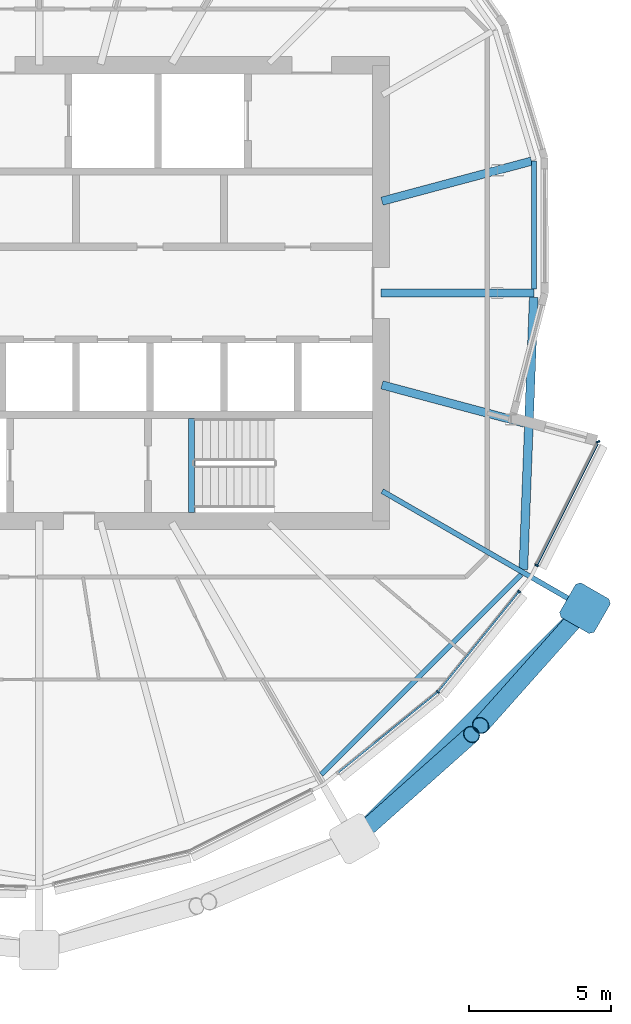
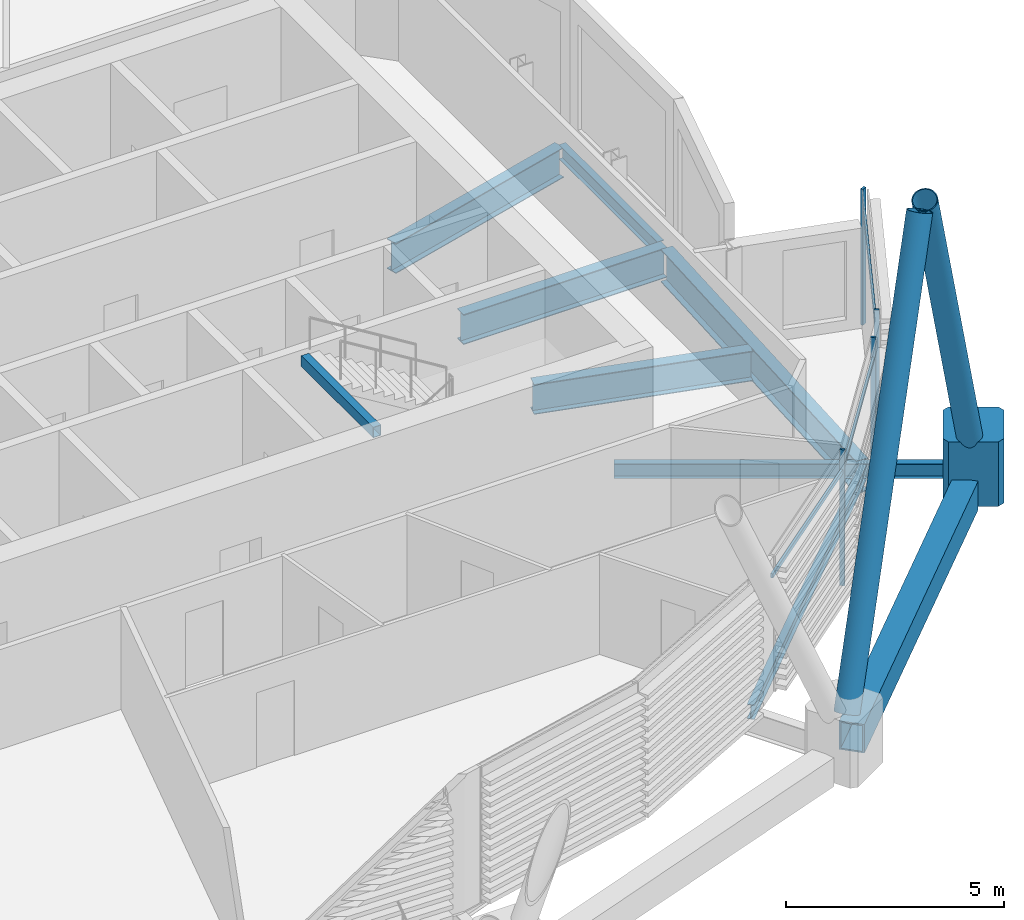
# One storey, part 16 of 37: 10 members, 9 beams, 1 element without a shape of its own.
"""IFC4 building model written with IfcOpenShell, lengths in metres."""

import ifcopenshell
import ifcopenshell.guid

model = None  # the IFC model being written
_history = None  # IfcOwnerHistory: only IFC2X3 demands one
_inside = {}  # id of a spatial element -> (the spatial element, [elements in it])
_under = {}  # id of a project, library or spatial element -> (it, [spatial elements below it])
_declared = {}  # id of a project -> (the project, [libraries it declares])
_typed = {}  # id of a type object -> (the type object, [elements of that type])
_made_of = {}  # id of a material, layer set ... -> (it, [elements and type objects made of it])


def new_model(schema):
    """Start an empty IFC model of exactly this schema.

    Asked for "IFC4X3", IfcOpenShell would pick the latest addendum, in which some entities
    have other attributes; the version numbers below select the first issue.
    IFC2X3 requires an IfcOwnerHistory on every rooted entity: one is made here for all.
    """
    global model, _history
    if schema == "IFC4X3":
        model = ifcopenshell.file(schema_version=(4, 3, 0, 0))
    else:
        model = ifcopenshell.file(schema=schema)
    _inside.clear()
    _under.clear()
    _declared.clear()
    _typed.clear()
    _made_of.clear()
    _history = None
    if model.schema == "IFC2X3":
        org = make("IfcOrganization", Name="unknown")
        user = make(
            "IfcPersonAndOrganization",
            ThePerson=make("IfcPerson", FamilyName="unknown"),
            TheOrganization=org,
        )
        app = make(
            "IfcApplication",
            ApplicationDeveloper=org,
            Version="unknown",
            ApplicationFullName="unknown",
            ApplicationIdentifier="unknown",
        )
        _history = make(
            "IfcOwnerHistory",
            OwningUser=user,
            OwningApplication=app,
            ChangeAction="ADDED",
            CreationDate=0,
        )
    return model


def make(cls, **values):
    """One entity of the class cls with the attributes given. An attribute that is None is left unset."""
    return model.create_entity(
        cls, **{name: value for name, value in values.items() if value is not None}
    )


def rooted(cls, **values):
    """An entity with a GlobalId (a new one), such as an element, a storey or a relation."""
    return make(cls, GlobalId=ifcopenshell.guid.new(), OwnerHistory=_history, **values)


def si_unit(unit_type, name, prefix=None):
    """IfcSIUnit, for example si_unit("LENGTHUNIT", "METRE", prefix="MILLI")."""
    return make("IfcSIUnit", UnitType=unit_type, Prefix=prefix, Name=name)


def assignment(units):
    """IfcUnitAssignment: the units of a project."""
    return None if units is None else make("IfcUnitAssignment", Units=units)


def point(xyz):
    """IfcCartesianPoint."""
    return None if xyz is None else make("IfcCartesianPoint", Coordinates=xyz)


def direction(xyz):
    """IfcDirection."""
    return None if xyz is None else make("IfcDirection", DirectionRatios=xyz)


def frame(location, z_axis=None, x_axis=None):
    """IfcAxis2Placement3D, a coordinate frame: its origin and axes. An axis left out is left unset."""
    return make(
        "IfcAxis2Placement3D",
        Location=point(location),
        Axis=direction(z_axis),
        RefDirection=direction(x_axis),
    )


def frame_2d(location, x_axis=None):
    """IfcAxis2Placement2D, a coordinate frame in the plane: its origin and x axis."""
    return make(
        "IfcAxis2Placement2D", Location=point(location), RefDirection=direction(x_axis)
    )


def origin():
    """The frame at (0, 0, 0) with its axes left unset."""
    return frame((0.0, 0.0, 0.0))


def origin_2d():
    """The frame at (0, 0) in the plane with its x axis left unset."""
    return frame_2d((0.0, 0.0))


def place(relative_to, where):
    """IfcLocalPlacement: puts the frame where relative to a parent placement (None: the world)."""
    return make(
        "IfcLocalPlacement", PlacementRelTo=relative_to, RelativePlacement=where
    )


def context(
    kind, dimensions, precision=None, world=None, true_north=None, identifier=None
):
    """IfcGeometricRepresentationContext, for example the 3D "Model" context."""
    return make(
        "IfcGeometricRepresentationContext",
        ContextIdentifier=identifier,
        ContextType=kind,
        CoordinateSpaceDimension=dimensions,
        Precision=precision,
        WorldCoordinateSystem=world,
        TrueNorth=true_north,
    )


def subcontext(parent, identifier, kind, view, scale=None):
    """IfcGeometricRepresentationSubContext, for example "Body" below "Model"."""
    return make(
        "IfcGeometricRepresentationSubContext",
        ContextIdentifier=identifier,
        ContextType=kind,
        ParentContext=parent,
        TargetScale=scale,
        TargetView=view,
    )


def project(units=None, contexts=None):
    """IfcProject with its units and contexts."""
    return rooted(
        "IfcProject",
        Name="project",
        RepresentationContexts=contexts,
        UnitsInContext=assignment(units),
    )


def spatial(cls, under=None, at=None, **own):
    """A site, building, storey or space (cls), placed at a placement, below another one or the project."""
    s = rooted(cls, ObjectPlacement=at, **own)
    if under is not None:
        _under.setdefault(under.id(), (under, []))[1].append(s)
    return s


def polyline(points):
    """IfcPolyline through the points."""
    return make("IfcPolyline", Points=[point(p) for p in points])


def profile(cls, at=None, kind="AREA", **sizes):
    """A parametric profile (cls). Its sizes go by their IFC names, for example OverallWidth=200.0."""
    return make(cls, ProfileType=kind, Position=at, **sizes)


def rectangle(**sizes):
    """IfcRectangleProfileDef."""
    return profile("IfcRectangleProfileDef", **sizes)


def hollow_rectangle(**sizes):
    """IfcRectangleHollowProfileDef."""
    return profile("IfcRectangleHollowProfileDef", **sizes)


def hollow_circle(**sizes):
    """IfcCircleHollowProfileDef."""
    return profile("IfcCircleHollowProfileDef", **sizes)


def i_section(**sizes):
    """IfcIShapeProfileDef."""
    return profile("IfcIShapeProfileDef", **sizes)


def outline(outer, holes=None, kind="AREA"):
    """IfcArbitraryClosedProfileDef: a profile drawn as a closed curve; with holes, ...WithVoids."""
    if holes is None:
        return make("IfcArbitraryClosedProfileDef", ProfileType=kind, OuterCurve=outer)
    return make(
        "IfcArbitraryProfileDefWithVoids",
        ProfileType=kind,
        OuterCurve=outer,
        InnerCurves=holes,
    )


def extrude(swept, where, along, depth):
    """IfcExtrudedAreaSolid: the profile swept, set in the frame where, extruded along a direction by depth."""
    return make(
        "IfcExtrudedAreaSolid",
        SweptArea=swept,
        Position=where,
        ExtrudedDirection=direction(along),
        Depth=depth,
    )


def shape(context_of_items, identifier, shape_type, items):
    """IfcShapeRepresentation: the items that make up one representation, for example the "Body"."""
    return make(
        "IfcShapeRepresentation",
        ContextOfItems=context_of_items,
        RepresentationIdentifier=identifier,
        RepresentationType=shape_type,
        Items=items,
    )


def material(Name=None, Category=None):
    """IfcMaterial."""
    return make("IfcMaterial", Name=Name, Category=Category)


def material_profile(
    of_material, cross_section, Name=None, Category=None, Priority=None
):
    """IfcMaterialProfile: a cross section and its material."""
    return make(
        "IfcMaterialProfile",
        Name=Name,
        Material=of_material,
        Profile=cross_section,
        Priority=Priority,
        Category=Category,
    )


def profile_set(profiles, Name=None, composite=None):
    """IfcMaterialProfileSet."""
    return make(
        "IfcMaterialProfileSet",
        Name=Name,
        MaterialProfiles=profiles,
        CompositeProfile=composite,
    )


def made_of(thing, what):
    """Note that an element or type object is made of a material, layer set ...; save() writes the relation."""
    if what is not None:
        _made_of.setdefault(what.id(), (what, []))[1].append(thing)
    return thing


def type_object(cls, material=None, **own):
    """A type object (cls), such as IfcWallType, which elements share."""
    return made_of(rooted(cls, **own), material)


def element(
    cls,
    number,
    at=None,
    inside=None,
    cuts=None,
    type_object=None,
    material=None,
    context=None,
    identifier="Body",
    shape_type=None,
    held_by="IfcProductDefinitionShape",
    body=None,
    shapes=None,
    **own,
):
    """One element of the class cls, such as IfcWall. Its Tag is "e" and its number.

    at: its placement. inside: the storey or other place that contains it. cuts: it is an
    opening in that element (IfcRelVoidsElement). A single representation is given by context,
    identifier, shape_type and body (its items); several are given by shapes. held_by: the class
    of the entity that holds the representations. save() writes the other relations.
    """
    e = rooted(cls, Tag="e%d" % number, ObjectPlacement=at, **own)
    if body is not None:
        shapes = [shape(context, identifier, shape_type, body)]
    if shapes is not None:
        e.Representation = make(held_by, Representations=shapes)
    if inside is not None:
        _inside.setdefault(inside.id(), (inside, []))[1].append(e)
    if cuts is not None:
        rooted(
            "IfcRelVoidsElement", RelatingBuildingElement=cuts, RelatedOpeningElement=e
        )
    if type_object is not None:
        _typed.setdefault(type_object.id(), (type_object, []))[1].append(e)
    return made_of(e, material)


def aggregate(whole, parts):
    """IfcRelAggregates: a whole, such as a stair, and the parts it consists of."""
    return rooted("IfcRelAggregates", RelatingObject=whole, RelatedObjects=parts)


def save(model, path):
    """Write the relations noted so far, then the file.

    IfcRelAggregates (storeys below a building ...), IfcRelContainedInSpatialStructure (elements
    in a storey), IfcRelDefinesByType, IfcRelAssociatesMaterial and IfcRelDeclares: one each for
    every whole, place, type object, material and project.
    """
    for whole, parts in _under.values():
        aggregate(whole, parts)
    for where, things in _inside.values():
        rooted(
            "IfcRelContainedInSpatialStructure",
            RelatedElements=things,
            RelatingStructure=where,
        )
    for kind, things in _typed.values():
        rooted("IfcRelDefinesByType", RelatedObjects=things, RelatingType=kind)
    for what, things in _made_of.values():
        rooted("IfcRelAssociatesMaterial", RelatedObjects=things, RelatingMaterial=what)
    for by, libraries in _declared.values():
        rooted("IfcRelDeclares", RelatingContext=by, RelatedDefinitions=libraries)
    model.write(path)


model = new_model("IFC4")

# Units and contexts
model_context = context("Model", 3, precision=1e-05, world=origin(), true_north=direction((0.0, 1.0)))
body_context = subcontext(model_context, "Body", "Model", "MODEL_VIEW")
ifc_project = project(units=[si_unit("LENGTHUNIT", "METRE"), si_unit("AREAUNIT", "SQUARE_METRE"), si_unit("VOLUMEUNIT", "CUBIC_METRE"), si_unit("PLANEANGLEUNIT", "RADIAN"), si_unit("MASSUNIT", "GRAM", prefix="KILO")], contexts=[model_context])

# Site, building, storey
site_placement = place(None, origin())
site = spatial("IfcSite", under=ifc_project, at=site_placement, CompositionType="ELEMENT")
building_placement = place(site_placement, origin())
building = spatial("IfcBuilding", under=site, at=building_placement, Name="Rimbun Link Towers", CompositionType="ELEMENT")
storey_placement = place(building_placement, frame((0.0, 0.0, 170.300048828125)))
storey = spatial("IfcBuildingStorey", under=building, at=storey_placement, Name="L41", CompositionType="ELEMENT", Elevation=170.300048828125)

# Curtain wall, members
ifc_material_1 = material(Name="Aluminium 6063-T6 and low-iron glass", Category="aluminium")
curtain_wall_type = type_object("IfcCurtainWallType", Name="CW1-Z3 unitised vision wall (zone 3)", PredefinedType="NOTDEFINED", material=ifc_material_1)
curtain_wall_placement = place(storey_placement, origin())
curtain_wall = element("IfcCurtainWall", 1, at=curtain_wall_placement, inside=storey, type_object=curtain_wall_type, Name="CW1 L41 T2", PredefinedType="NOTDEFINED")
ifc_material_2 = material(Name="Aluminium 6063-T6", Category="aluminium")
ifc_material_profile_1 = material_profile(ifc_material_2, rectangle(XDim=0.1201171875, YDim=0.06005859375, at=origin_2d()), Name="MULLION 60X120")
ifc_profile_set_1 = profile_set([ifc_material_profile_1], Name="Aluminium 6063-T6")
member_type_1 = type_object("IfcMemberType", Name="CW1 mullion 60X120", PredefinedType="MULLION", material=ifc_profile_set_1)
member_1_placement = place(storey_placement, frame((45.7568359375, -14.0068359375, 0.0), z_axis=(0.0, 0.0, 1.0), x_axis=(0.707106781187, -0.707106781187, 0.0)))
member_1 = element("IfcMember", 2, at=member_1_placement, type_object=member_type_1, Name="CW1 mullion", PredefinedType="MULLION", context=body_context, shape_type="SweptSolid", body=[
    extrude(rectangle(XDim=0.1201171875, YDim=0.06005859375, at=origin_2d()), origin(), (0.0, 0.0, 1.0), 3.800048828125),
])
member_2_placement = place(storey_placement, frame((48.60791015625, -10.485107421875, 0.0), z_axis=(0.0, 0.0, 1.0), x_axis=(0.777277720811, -0.629157646962, 0.0)))
member_2 = element("IfcMember", 3, at=member_2_placement, type_object=member_type_1, Name="CW1 mullion", PredefinedType="MULLION", context=body_context, shape_type="SweptSolid", body=[
    extrude(rectangle(XDim=0.1201171875, YDim=0.06005859375, at=origin_2d()), origin(), (0.0, 0.0, 1.0), 3.800048828125),
])
member_3_placement = place(storey_placement, frame((51.38330078125, -5.221435546875, 0.0), z_axis=(0.0, 0.0, 1.0), x_axis=(0.912350612817, 0.409409769414, 0.0)))
member_3 = element("IfcMember", 4, at=member_3_placement, type_object=member_type_1, Name="CW1 mullion", PredefinedType="MULLION", context=body_context, shape_type="SweptSolid", body=[
    extrude(rectangle(XDim=0.1201171875, YDim=0.06005859375, at=origin_2d()), origin(), (0.0, 0.0, 1.0), 3.800048828125),
])
member_4_placement = place(storey_placement, frame((49.225830078125, -9.56689453125, 0.0), z_axis=(0.0, 0.0, 1.0), x_axis=(0.893645619235, -0.44877333613, 0.0)))
member_4 = element("IfcMember", 5, at=member_4_placement, type_object=member_type_1, Name="CW1 mullion", PredefinedType="MULLION", context=body_context, shape_type="SweptSolid", body=[
    extrude(rectangle(XDim=0.1201171875, YDim=0.06005859375, at=origin_2d()), origin(), (0.0, 0.0, 1.0), 3.800048828125),
])
ifc_material_3 = material(Name="Aluminium 6063-T6", Category="aluminium")
ifc_material_profile_2 = material_profile(ifc_material_3, rectangle(XDim=0.06005859375, YDim=0.1201171875, at=origin_2d()), Name="TRANSOM 60X120")
ifc_profile_set_2 = profile_set([ifc_material_profile_2], Name="Aluminium 6063-T6")
member_type_2 = type_object("IfcMemberType", Name="CW1 transom 60X120", PredefinedType="USERDEFINED", material=ifc_profile_set_2)
member_5_placement = place(storey_placement, frame((45.7275390625, -14.0283203125, 3.199951171875), z_axis=(-0.777281797361, -0.629152610653, 0.0), x_axis=(0.629152610653, -0.777281797361, 0.0)))
member_5 = element("IfcMember", 6, at=member_5_placement, type_object=member_type_2, Name="CW1 transom", ObjectType="TRANSOM", PredefinedType="USERDEFINED", context=body_context, shape_type="SweptSolid", body=[
    extrude(rectangle(XDim=0.06005859375, YDim=0.1201171875, at=origin_2d()), origin(), (0.0, 0.0, 1.0), 4.46484375),
])
member_6_placement = place(storey_placement, frame((48.58740234375, -10.507080078125, 3.199951171875), z_axis=(-0.629152610653, -0.777281797361, 0.0), x_axis=(0.777281797361, -0.629152610653, 0.0)))
member_6 = element("IfcMember", 7, at=member_6_placement, type_object=member_type_2, Name="CW1 transom", ObjectType="TRANSOM", PredefinedType="USERDEFINED", context=body_context, shape_type="SweptSolid", body=[
    extrude(rectangle(XDim=0.06005859375, YDim=0.1201171875, at=origin_2d()), origin(), (0.0, 0.0, 1.0), 4.46484375),
])
member_7_placement = place(storey_placement, frame((51.366943359375, -5.298828125, 3.199951171875), z_axis=(-0.448777096882, -0.893643730641, 0.0), x_axis=(0.893643730641, -0.448777096882, 0.0)))
member_7 = element("IfcMember", 8, at=member_7_placement, type_object=member_type_2, Name="CW1 transom", ObjectType="TRANSOM", PredefinedType="USERDEFINED", context=body_context, shape_type="SweptSolid", body=[
    extrude(rectangle(XDim=0.06005859375, YDim=0.1201171875, at=origin_2d()), origin(), (0.0, 0.0, 1.0), 4.744873046875),
])
aggregate(curtain_wall, [member_1, member_2, member_3, member_4, member_5, member_6, member_7])

# Members
ifc_material_4 = material(Name="Steel S355J2H", Category="steel")
ifc_material_profile_3 = material_profile(ifc_material_4, hollow_circle(Radius=0.3046875, WallThickness=0.02490234375, at=origin_2d()), Name="Diagrid diagonal CHS 610x25")
ifc_profile_set_3 = profile_set([ifc_material_profile_3], Name="Steel S355J2H")
member_type_3 = type_object("IfcMemberType", Name="Diagrid diagonal CHS 610x25", PredefinedType="BRACE", material=ifc_profile_set_3)
for number, where, z_axis, x_axis, name in (
    (9, (42.985107421875, -19.019287109375, 0.446533203125), (0.335963675498, 0.298811950093, 0.89321880143), (-0.664584429129, 0.747213180129, 0.0), "Diagrid diagonal T2 L41-L44 17b"),
    (10, (50.769287109375, -11.235107421875, 0.446533203125), (-0.298811950093, -0.335963675498, 0.89321880143), (0.747213180129, -0.664584429129, 0.0), "Diagrid diagonal T2 L41-L44 19a"),
):
    element("IfcMember", number, at=place(storey_placement, frame(where, z_axis=z_axis, x_axis=x_axis)), inside=storey, type_object=member_type_3, Name=name, PredefinedType="BRACE", context=body_context, shape_type="SweptSolid", body=[
        extrude(hollow_circle(Radius=0.3046875, WallThickness=0.02490234375, at=origin_2d()), origin(), (0.0, 0.0, 1.0), 11.762939453125),
    ])
ifc_material_5 = material(Name="Cast steel G20Mn5+QT, Rp0.2 300 MPa", Category="steel")
ifc_material_profile_4 = material_profile(ifc_material_5, outline(polyline([(0.699951171875, -0.570068359375), (0.699951171875, 0.570068359375), (0.570068359375, 0.699951171875), (-0.570068359375, 0.699951171875), (-0.699951171875, 0.570068359375), (-0.699951171875, -0.570068359375), (-0.570068359375, -0.699951171875), (0.570068359375, -0.699951171875), (0.699951171875, -0.570068359375)])), Name="NODE 1400x1400")
ifc_profile_set_4 = profile_set([ifc_material_profile_4], Name="Cast steel G20Mn5+QT, Rp0.2 300 MPa")
member_type_4 = type_object("IfcMemberType", Name="Diagrid node cast 1400", PredefinedType="USERDEFINED", material=ifc_profile_set_4)
member_8_placement = place(storey_placement, frame((50.918701171875, -11.067138671875, -0.900146484375), z_axis=(0.0, 0.0, 1.0), x_axis=(0.866025403784, -0.5, 0.0)))
element("IfcMember", 11, at=member_8_placement, inside=storey, type_object=member_type_4, Name="Diagrid node L41 19", ObjectType="Diagrid node", PredefinedType="USERDEFINED", context=body_context, shape_type="SweptSolid", body=[
    extrude(outline(polyline([(0.699951171875, -0.570068359375), (0.699951171875, 0.570068359375), (0.570068359375, 0.699951171875), (-0.570068359375, 0.699951171875), (-0.699951171875, 0.570068359375), (-0.699951171875, -0.570068359375), (-0.570068359375, -0.699951171875), (0.570068359375, -0.699951171875), (0.699951171875, -0.570068359375)])), origin(), (0.0, 0.0, 1.0), 1.800048828125),
])

# Beams
ifc_material_6 = material(Name="Steel S355J2", Category="steel")
ifc_material_profile_5 = material_profile(ifc_material_6, hollow_rectangle(XDim=0.60009765625, YDim=0.800048828125, WallThickness=0.0400390625, at=origin_2d()), Name="Exoskeleton ring girder BOX 600x800x40")
ifc_profile_set_5 = profile_set([ifc_material_profile_5], Name="Steel S355J2")
beam_type_1 = type_object("IfcBeamType", Name="Exoskeleton ring girder BOX 600x800x40", PredefinedType="BEAM", material=ifc_profile_set_5)
beam_1_placement = place(storey_placement, frame((43.31201171875, -18.673828125, -0.56005859375), z_axis=(0.707106781187, 0.707106781187, 0.0), x_axis=(-0.707106781187, 0.707106781187, 0.0)))
element("IfcBeam", 12, at=beam_1_placement, inside=storey, type_object=beam_type_1, Name="Exoskeleton ring girder L41 08", PredefinedType="BEAM", context=body_context, shape_type="SweptSolid", body=[
    extrude(hollow_rectangle(XDim=0.60009765625, YDim=0.800048828125, WallThickness=0.0400390625, at=origin_2d()), origin(), (0.0, 0.0, 1.0), 10.0576171875),
])
ifc_material_7 = material(Name="Steel S355J2", Category="steel")
ifc_material_profile_6 = material_profile(ifc_material_7, hollow_rectangle(XDim=0.199951171875, YDim=0.300048828125, WallThickness=0.011962890625, at=origin_2d()), Name="BOX 300x200x12")
ifc_profile_set_6 = profile_set([ifc_material_profile_6], Name="Steel S355J2")
beam_type_2 = type_object("IfcBeamType", Name="Stair trimmer beam BOX 300x200x12", PredefinedType="BEAM", material=ifc_profile_set_6)
beam_2_placement = place(storey_placement, frame((37.10009765625, -7.699951171875, 3.5), z_axis=(0.0, 1.0, 0.0), x_axis=(-1.0, 0.0, 0.0)))
element("IfcBeam", 13, at=beam_2_placement, inside=storey, type_object=beam_type_2, Name="L41 ST4 stair beam 1", PredefinedType="BEAM", context=body_context, shape_type="SweptSolid", body=[
    extrude(hollow_rectangle(XDim=0.199951171875, YDim=0.300048828125, WallThickness=0.011962890625, at=origin_2d()), origin(), (0.0, 0.0, 1.0), 3.300048828125),
])
ifc_material_8 = material(Name="Steel S355J2", Category="steel")
ifc_material_profile_7 = material_profile(ifc_material_8, i_section(OverallWidth=0.177978515625, OverallDepth=0.406494140625, WebThickness=0.0078125, FlangeThickness=0.0126953125, at=origin_2d()), Name="UB 406x178x60")
ifc_profile_set_7 = profile_set([ifc_material_profile_7], Name="Steel S355J2")
beam_type_3 = type_object("IfcBeamType", Name="UB 406x178x60", PredefinedType="BEAM", material=ifc_profile_set_7)
beam_3_placement = place(storey_placement, frame((43.79541015625, -6.954345703125, -0.353271484375), z_axis=(0.866021391271, -0.500006949813, 0.0), x_axis=(0.500006949813, 0.866021391271, 0.0)))
element("IfcBeam", 14, at=beam_3_placement, inside=storey, type_object=beam_type_3, Name="Radial beam T2 L41 19", PredefinedType="BEAM", context=body_context, shape_type="SweptSolid", body=[
    extrude(i_section(OverallWidth=0.177978515625, OverallDepth=0.406494140625, WebThickness=0.0078125, FlangeThickness=0.0126953125, at=origin_2d()), origin(), (0.0, 0.0, 1.0), 7.7255859375),
])
beam_4_placement = place(storey_placement, frame((41.6591796875, -16.907470703125, -0.353271484375), z_axis=(0.707106781187, 0.707106781187, 0.0), x_axis=(-0.707106781187, 0.707106781187, 0.0)))
element("IfcBeam", 15, at=beam_4_placement, inside=storey, type_object=beam_type_3, Name="Edge beam T2 L41 17-19", PredefinedType="BEAM", context=body_context, shape_type="SweptSolid", body=[
    extrude(i_section(OverallWidth=0.177978515625, OverallDepth=0.406494140625, WebThickness=0.0078125, FlangeThickness=0.0126953125, at=origin_2d()), origin(), (0.0, 0.0, 1.0), 9.9365234375),
])
beam_5_placement = place(storey_placement, frame((49.124755859375, 0.147216796875, -0.353271484375), z_axis=(0.000108642511, 0.999999994098, 0.0), x_axis=(-0.999999994098, 0.000108642511, 0.0)))
element("IfcBeam", 16, at=beam_5_placement, inside=storey, type_object=beam_type_3, Name="Edge beam T2 L41 21 recess", PredefinedType="BEAM", context=body_context, shape_type="SweptSolid", body=[
    extrude(i_section(OverallWidth=0.177978515625, OverallDepth=0.406494140625, WebThickness=0.0078125, FlangeThickness=0.0126953125, at=origin_2d()), origin(), (0.0, 0.0, 1.0), 4.494384765625),
])
ifc_material_9 = material(Name="Steel S355J2", Category="steel")
ifc_material_profile_8 = material_profile(ifc_material_9, i_section(OverallWidth=0.29248046875, OverallDepth=0.8408203125, WebThickness=0.0126953125, FlangeThickness=0.021728515625, at=origin_2d()), Name="UB 838x292x194")
ifc_profile_set_8 = profile_set([ifc_material_profile_8], Name="Steel S355J2")
beam_type_4 = type_object("IfcBeamType", Name="UB 838x292x194", PredefinedType="BEAM", material=ifc_profile_set_8)
beam_6_placement = place(storey_placement, frame((43.788818359375, -3.225830078125, -0.570556640625), z_axis=(0.965934180518, -0.258787864684, 0.0), x_axis=(0.258787864684, 0.965934180518, 0.0)))
element("IfcBeam", 17, at=beam_6_placement, inside=storey, type_object=beam_type_4, Name="Radial beam T2 L41 20", PredefinedType="BEAM", context=body_context, shape_type="SweptSolid", body=[
    extrude(i_section(OverallWidth=0.29248046875, OverallDepth=0.8408203125, WebThickness=0.0126953125, FlangeThickness=0.021728515625, at=origin_2d()), origin(), (0.0, 0.0, 1.0), 5.184814453125),
])
beam_7_placement = place(storey_placement, frame((43.7509765625, 0.0, -0.570556640625), z_axis=(1.0, 0.0, 0.0), x_axis=(0.0, 1.0, 0.0)))
element("IfcBeam", 18, at=beam_7_placement, inside=storey, type_object=beam_type_4, Name="Radial beam T2 L41 21", PredefinedType="BEAM", context=body_context, shape_type="SweptSolid", body=[
    extrude(i_section(OverallWidth=0.29248046875, OverallDepth=0.8408203125, WebThickness=0.0126953125, FlangeThickness=0.021728515625, at=origin_2d()), origin(), (0.0, 0.0, 1.0), 5.373779296875),
])
beam_8_placement = place(storey_placement, frame((43.788818359375, 3.225830078125, -0.570556640625), z_axis=(0.965924788892, 0.258822916689, 0.0), x_axis=(-0.258822916689, 0.965924788892, 0.0)))
element("IfcBeam", 19, at=beam_8_placement, inside=storey, type_object=beam_type_4, Name="Radial beam T2 L41 22", PredefinedType="BEAM", context=body_context, shape_type="SweptSolid", body=[
    extrude(i_section(OverallWidth=0.29248046875, OverallDepth=0.8408203125, WebThickness=0.0126953125, FlangeThickness=0.021728515625, at=origin_2d()), origin(), (0.0, 0.0, 1.0), 5.43408203125),
])
ifc_material_10 = material(Name="Steel S355J2", Category="steel")
ifc_material_profile_9 = material_profile(ifc_material_10, i_section(OverallWidth=0.305419921875, OverallDepth=0.91845703125, WebThickness=0.017333984375, FlangeThickness=0.02783203125, at=origin_2d()), Name="UB 914x305x253")
ifc_profile_set_9 = profile_set([ifc_material_profile_9], Name="Steel S355J2")
beam_type_5 = type_object("IfcBeamType", Name="UB 914x305x253", PredefinedType="BEAM", material=ifc_profile_set_9)
beam_9_placement = place(storey_placement, frame((48.7548828125, -9.714111328125, -0.609130859375), z_axis=(0.038047254226, 0.999275941092, 0.0), x_axis=(-0.999275941092, 0.038047254226, 0.0)))
element("IfcBeam", 20, at=beam_9_placement, inside=storey, type_object=beam_type_5, Name="Edge beam T2 L41 19-21", PredefinedType="BEAM", context=body_context, shape_type="SweptSolid", body=[
    extrude(i_section(OverallWidth=0.305419921875, OverallDepth=0.91845703125, WebThickness=0.017333984375, FlangeThickness=0.02783203125, at=origin_2d()), origin(), (0.0, 0.0, 1.0), 9.57373046875),
])

save(model, "model.ifc")
